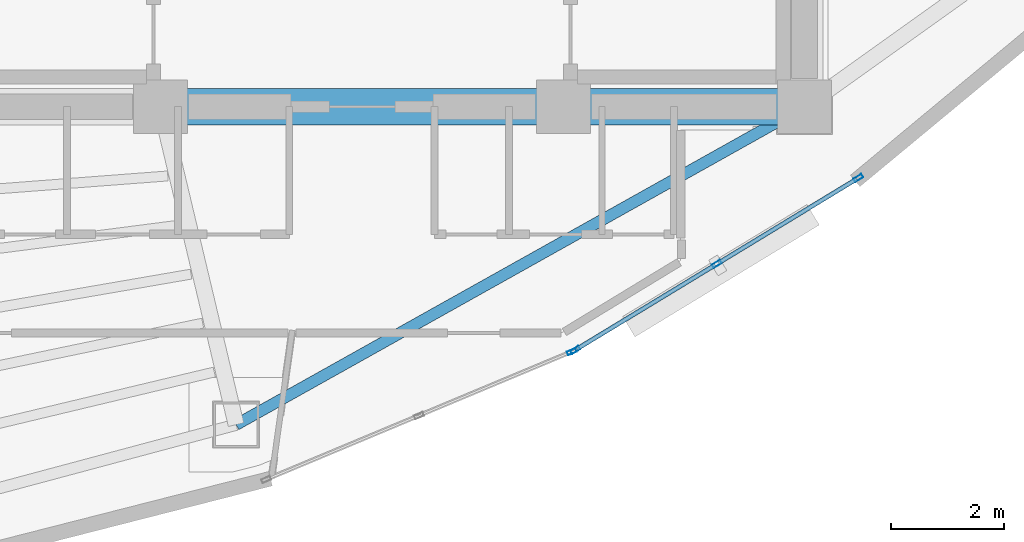
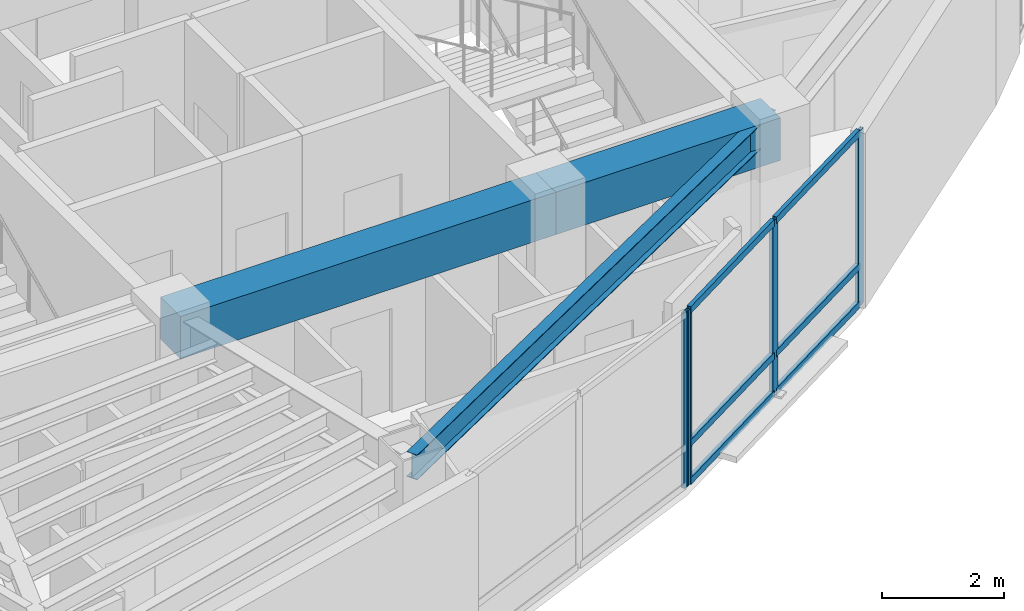
# One storey, part 5 of 15: 10 members, 3 beams, 2 elements without a shape of their own.
"""IFC4 building model written with IfcOpenShell, lengths in metres."""

from ifc_helpers import new_model, si_unit, direction, frame, origin, origin_2d, place, context, subcontext, project, spatial, rectangle, hollow_rectangle, i_section, extrude, material, layer, layer_set, material_profile, profile_set, type_object, element, aggregate, save


model = new_model("IFC4")

# Units and contexts
model_context = context("Model", 3, precision=1e-05, world=origin(), true_north=direction((0.0, 1.0)))
body_context = subcontext(model_context, "Body", "Model", "MODEL_VIEW")
ifc_project = project(units=[si_unit("LENGTHUNIT", "METRE"), si_unit("AREAUNIT", "SQUARE_METRE"), si_unit("VOLUMEUNIT", "CUBIC_METRE"), si_unit("PLANEANGLEUNIT", "RADIAN"), si_unit("MASSUNIT", "GRAM", prefix="KILO")], contexts=[model_context])

# Site, building, storey
site_placement = place(None, origin())
site = spatial("IfcSite", under=ifc_project, at=site_placement, CompositionType="ELEMENT")
building_placement = place(site_placement, origin())
building = spatial("IfcBuilding", under=site, at=building_placement, Name="Menara Vayukalpa", CompositionType="ELEMENT")
storey_placement = place(building_placement, frame((0.0, 0.0, 284.340087890625)))
storey = spatial("IfcBuildingStorey", under=building, at=storey_placement, Name="L72", CompositionType="ELEMENT", Elevation=284.340087890625)

# Beams
ifc_material_1 = material(Name="Concrete C60/75", Category="concrete")
ifc_material_profile_1 = material_profile(ifc_material_1, rectangle(XDim=0.64990234375, YDim=0.85009765625, at=origin_2d()), Name="RC 650x850")
ifc_profile_set_1 = profile_set([ifc_material_profile_1], Name="Concrete C60/75")
beam_type_1 = type_object("IfcBeamType", Name="BM-CB1", PredefinedType="BEAM", material=ifc_profile_set_1)
beam_1_placement = place(storey_placement, frame((22.050048828125, 17.199951171875, 3.074951171875), z_axis=(1.0, 0.0, 0.0), x_axis=(0.0, 1.0, 0.0)))
element("IfcBeam", 1, at=beam_1_placement, inside=storey, type_object=beam_type_1, Name="L72 Core Tie Beam CBR2", PredefinedType="BEAM", context=body_context, shape_type="SweptSolid", body=[
    extrude(rectangle(XDim=0.64990234375, YDim=0.85009765625, at=origin_2d()), origin(), (0.0, 0.0, 1.0), 7.099853515625),
])
beam_2_placement = place(storey_placement, frame((29.14990234375, 17.199951171875, 3.074951171875), z_axis=(1.0, 0.0, 0.0), x_axis=(0.0, 1.0, 0.0)))
element("IfcBeam", 2, at=beam_2_placement, inside=storey, type_object=beam_type_1, Name="L72 Core Tie Beam CBR3", PredefinedType="BEAM", context=body_context, shape_type="SweptSolid", body=[
    extrude(rectangle(XDim=0.64990234375, YDim=0.85009765625, at=origin_2d()), origin(), (0.0, 0.0, 1.0), 4.25),
])
ifc_material_2 = material(Name="Steel S355", Category="steel")
ifc_material_profile_2 = material_profile(ifc_material_2, i_section(OverallWidth=0.199951171875, OverallDepth=0.5, WebThickness=0.010009765625, FlangeThickness=0.01611328125, at=origin_2d()), Name="WF 500x200x10x16")
ifc_profile_set_2 = profile_set([ifc_material_profile_2], Name="Steel S355")
beam_type_2 = type_object("IfcBeamType", Name="BM-SP3", PredefinedType="SPANDREL", material=ifc_profile_set_2)
beam_3_placement = place(storey_placement, frame((23.3818359375, 11.59521484375, 3.25), z_axis=(0.87270577288, 0.48824648896, 0.0), x_axis=(-0.48824648896, 0.87270577288, 0.0)))
element("IfcBeam", 3, at=beam_3_placement, inside=storey, type_object=beam_type_2, Name="L72 Perimeter Spandrel Beam SP08", PredefinedType="SPANDREL", context=body_context, shape_type="SweptSolid", body=[
    extrude(i_section(OverallWidth=0.199951171875, OverallDepth=0.5, WebThickness=0.010009765625, FlangeThickness=0.01611328125, at=origin_2d()), origin(), (0.0, 0.0, 1.0), 11.479248046875),
])

# Curtain wall, member
ifc_material_3 = material(Name="Anodised Terracotta Aluminium Alloy 6063-T6", Category="masonry")
ifc_layer = layer(ifc_material_3, 0.1650390625)
ifc_layer_set = layer_set([ifc_layer], Name="Anodised Terracotta Aluminium Alloy 6063-T6")
curtain_wall_type = type_object("IfcCurtainWallType", Name="CW-CW6", PredefinedType="USERDEFINED", material=ifc_layer_set)
curtain_wall_1_placement = place(storey_placement, origin())
curtain_wall_1 = element("IfcCurtainWall", 4, at=curtain_wall_1_placement, inside=storey, type_object=curtain_wall_type, Name="L72 Observation and Executive Curtain Wall CW6 16", ObjectType="UNITISED", PredefinedType="USERDEFINED")
ifc_material_4 = material(Name="Anodised Terracotta Aluminium Alloy 6063-T6", Category="masonry")
ifc_material_profile_3 = material_profile(ifc_material_4, hollow_rectangle(XDim=0.070068359375, YDim=0.1650390625, WallThickness=0.00390625, at=origin_2d()), Name="ALU 70x165x4")
ifc_profile_set_3 = profile_set([ifc_material_profile_3], Name="Anodised Terracotta Aluminium Alloy 6063-T6")
member_type_1 = type_object("IfcMemberType", Name="CWM-CW6", PredefinedType="MULLION", material=ifc_profile_set_3)
member_1_placement = place(storey_placement, frame((29.298828125, 12.881103515625, 0.0), z_axis=(0.0, 0.0, 1.0), x_axis=(-0.385899911703, 0.922540653927, 0.0)))
member_1 = element("IfcMember", 5, at=member_1_placement, type_object=member_type_1, Name="CW6 mullion 3", PredefinedType="MULLION", context=body_context, shape_type="SweptSolid", body=[
    extrude(hollow_rectangle(XDim=0.070068359375, YDim=0.1650390625, WallThickness=0.00390625, at=origin_2d()), origin(), (0.0, 0.0, 1.0), 3.5),
])
aggregate(curtain_wall_1, [member_1])

# Curtain wall, members
curtain_wall_2_placement = place(storey_placement, origin())
curtain_wall_2 = element("IfcCurtainWall", 6, at=curtain_wall_2_placement, inside=storey, type_object=curtain_wall_type, Name="L72 Observation and Executive Curtain Wall CW6 17", ObjectType="UNITISED", PredefinedType="USERDEFINED")
member_2_placement = place(storey_placement, frame((29.36083984375, 12.912841796875, 0.0), z_axis=(0.0, 0.0, 1.0), x_axis=(-0.519175574558, 0.854667609532, 0.0)))
member_2 = element("IfcMember", 7, at=member_2_placement, type_object=member_type_1, Name="CW6 mullion 1", PredefinedType="MULLION", context=body_context, shape_type="SweptSolid", body=[
    extrude(hollow_rectangle(XDim=0.070068359375, YDim=0.1650390625, WallThickness=0.00390625, at=origin_2d()), origin(), (0.0, 0.0, 1.0), 3.5),
])
member_3_placement = place(storey_placement, frame((31.85546875, 14.42822265625, 0.0), z_axis=(0.0, 0.0, 1.0), x_axis=(-0.519175574558, 0.854667609532, 0.0)))
member_3 = element("IfcMember", 8, at=member_3_placement, type_object=member_type_1, Name="CW6 mullion 2", PredefinedType="MULLION", context=body_context, shape_type="SweptSolid", body=[
    extrude(hollow_rectangle(XDim=0.070068359375, YDim=0.1650390625, WallThickness=0.00390625, at=origin_2d()), origin(), (0.0, 0.0, 1.0), 3.5),
])
member_4_placement = place(storey_placement, frame((34.35009765625, 15.943603515625, 0.0), z_axis=(0.0, 0.0, 1.0), x_axis=(-0.519175574558, 0.854667609532, 0.0)))
member_4 = element("IfcMember", 9, at=member_4_placement, type_object=member_type_1, Name="CW6 mullion 3", PredefinedType="MULLION", context=body_context, shape_type="SweptSolid", body=[
    extrude(hollow_rectangle(XDim=0.070068359375, YDim=0.1650390625, WallThickness=0.00390625, at=origin_2d()), origin(), (0.0, 0.0, 1.0), 3.5),
])
ifc_material_5 = material(Name="Anodised Terracotta Aluminium Alloy 6063-T6", Category="masonry")
ifc_material_profile_4 = material_profile(ifc_material_5, hollow_rectangle(XDim=0.074951171875, YDim=0.135009765625, WallThickness=0.00390625, at=origin_2d()), Name="ALU 75x135x4")
ifc_profile_set_4 = profile_set([ifc_material_profile_4], Name="Anodised Terracotta Aluminium Alloy 6063-T6")
member_type_2 = type_object("IfcMemberType", Name="CWT-CW6", PredefinedType="USERDEFINED", material=ifc_profile_set_4)
member_5_placement = place(storey_placement, frame((29.390869140625, 12.93115234375, 0.037353515625), z_axis=(0.854689729536, 0.519139158825, 0.0), x_axis=(-0.519139158825, 0.854689729536, 0.0)))
member_5 = element("IfcMember", 10, at=member_5_placement, type_object=member_type_2, Name="CW6 transom 1.1", ObjectType="TRANSOM", PredefinedType="USERDEFINED", context=body_context, shape_type="SweptSolid", body=[
    extrude(hollow_rectangle(XDim=0.074951171875, YDim=0.135009765625, WallThickness=0.00390625, at=origin_2d()), origin(), (0.0, 0.0, 1.0), 2.848388671875),
])
member_6_placement = place(storey_placement, frame((29.390869140625, 12.93115234375, 0.7998046875), z_axis=(0.854689729536, 0.519139158825, 0.0), x_axis=(-0.519139158825, 0.854689729536, 0.0)))
member_6 = element("IfcMember", 11, at=member_6_placement, type_object=member_type_2, Name="CW6 transom 1.2", ObjectType="TRANSOM", PredefinedType="USERDEFINED", context=body_context, shape_type="SweptSolid", body=[
    extrude(hollow_rectangle(XDim=0.074951171875, YDim=0.135009765625, WallThickness=0.00390625, at=origin_2d()), origin(), (0.0, 0.0, 1.0), 2.848388671875),
])
member_7_placement = place(storey_placement, frame((29.390869140625, 12.93115234375, 3.46240234375), z_axis=(0.854689729536, 0.519139158825, 0.0), x_axis=(-0.519139158825, 0.854689729536, 0.0)))
member_7 = element("IfcMember", 12, at=member_7_placement, type_object=member_type_2, Name="CW6 transom 1.3", ObjectType="TRANSOM", PredefinedType="USERDEFINED", context=body_context, shape_type="SweptSolid", body=[
    extrude(hollow_rectangle(XDim=0.074951171875, YDim=0.135009765625, WallThickness=0.00390625, at=origin_2d()), origin(), (0.0, 0.0, 1.0), 2.848388671875),
])
member_8_placement = place(storey_placement, frame((31.88525390625, 14.4462890625, 0.037353515625), z_axis=(0.854674800659, 0.519163736328, 0.0), x_axis=(-0.519163736328, 0.85467480066, 0.0)))
member_8 = element("IfcMember", 13, at=member_8_placement, type_object=member_type_2, Name="CW6 transom 2.1", ObjectType="TRANSOM", PredefinedType="USERDEFINED", context=body_context, shape_type="SweptSolid", body=[
    extrude(hollow_rectangle(XDim=0.074951171875, YDim=0.135009765625, WallThickness=0.00390625, at=origin_2d()), origin(), (0.0, 0.0, 1.0), 2.848876953125),
])
member_9_placement = place(storey_placement, frame((31.88525390625, 14.4462890625, 0.7998046875), z_axis=(0.854674800659, 0.519163736328, 0.0), x_axis=(-0.519163736328, 0.85467480066, 0.0)))
member_9 = element("IfcMember", 14, at=member_9_placement, type_object=member_type_2, Name="CW6 transom 2.2", ObjectType="TRANSOM", PredefinedType="USERDEFINED", context=body_context, shape_type="SweptSolid", body=[
    extrude(hollow_rectangle(XDim=0.074951171875, YDim=0.135009765625, WallThickness=0.00390625, at=origin_2d()), origin(), (0.0, 0.0, 1.0), 2.848876953125),
])
member_10_placement = place(storey_placement, frame((31.88525390625, 14.4462890625, 3.46240234375), z_axis=(0.854674800659, 0.519163736328, 0.0), x_axis=(-0.519163736328, 0.85467480066, 0.0)))
member_10 = element("IfcMember", 15, at=member_10_placement, type_object=member_type_2, Name="CW6 transom 2.3", ObjectType="TRANSOM", PredefinedType="USERDEFINED", context=body_context, shape_type="SweptSolid", body=[
    extrude(hollow_rectangle(XDim=0.074951171875, YDim=0.135009765625, WallThickness=0.00390625, at=origin_2d()), origin(), (0.0, 0.0, 1.0), 2.848876953125),
])
aggregate(curtain_wall_2, [member_2, member_3, member_4, member_5, member_6, member_7, member_8, member_9, member_10])

save(model, "model.ifc")
